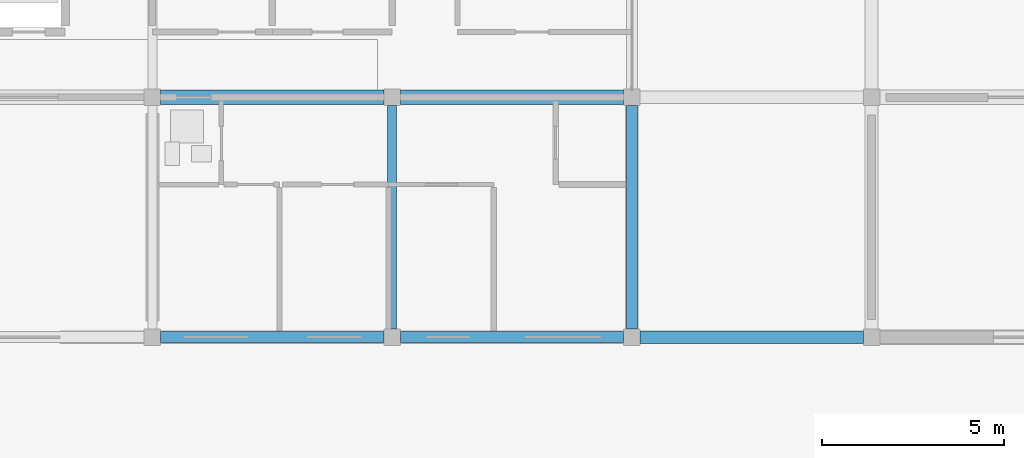
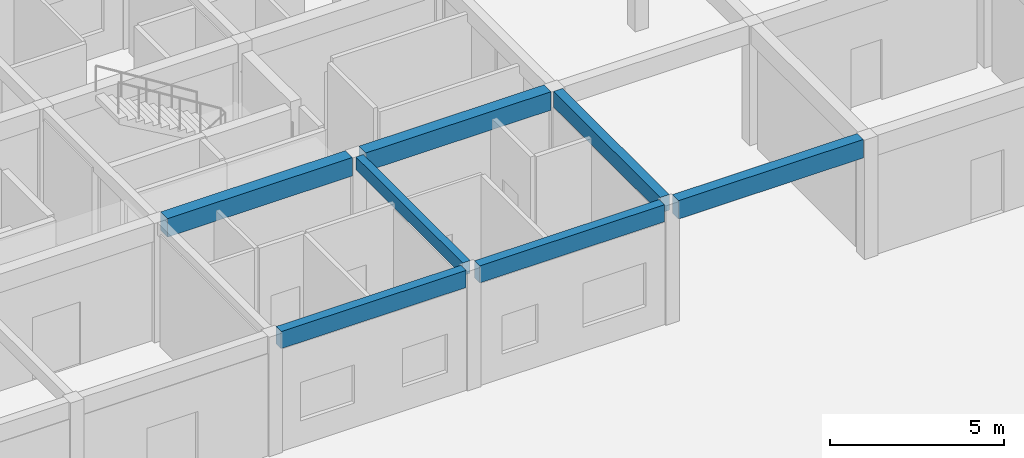
# One storey, part 12 of 75: 7 beams.
"""IFC4 building model written with IfcOpenShell, lengths in metres."""

from ifc_helpers import new_model, si_unit, direction, frame, origin, origin_2d, place, context, subcontext, project, spatial, rectangle, extrude, material, material_profile, profile_set, type_object, element, save


model = new_model("IFC4")

# Units and contexts
model_context = context("Model", 3, precision=1e-05, world=origin(), true_north=direction((0.0, 1.0)))
body_context = subcontext(model_context, "Body", "Model", "MODEL_VIEW")
ifc_project = project(units=[si_unit("LENGTHUNIT", "METRE"), si_unit("AREAUNIT", "SQUARE_METRE"), si_unit("VOLUMEUNIT", "CUBIC_METRE"), si_unit("PLANEANGLEUNIT", "RADIAN"), si_unit("MASSUNIT", "GRAM", prefix="KILO")], contexts=[model_context])

# Site, building, storey
site_placement = place(None, origin())
site = spatial("IfcSite", under=ifc_project, at=site_placement, CompositionType="ELEMENT")
building_placement = place(site_placement, origin())
building = spatial("IfcBuilding", under=site, at=building_placement, Name="Kernevlak Ridge Housing Community", CompositionType="ELEMENT")
storey_placement = place(building_placement, origin())
storey = spatial("IfcBuildingStorey", under=building, at=storey_placement, Name="L00", CompositionType="ELEMENT", Elevation=0.0)

# Beams
ifc_material = material(Name="Concrete C35/45", Category="concrete")
ifc_material_profile_1 = material_profile(ifc_material, rectangle(XDim=0.35009765625, YDim=0.64990234375, at=origin_2d()), Name="RC 350x650")
ifc_profile_set_1 = profile_set([ifc_material_profile_1], Name="Concrete C35/45")
beam_type_1 = type_object("IfcBeamType", Name="B-02", PredefinedType="BEAM", material=ifc_profile_set_1)
beam_1_placement = place(storey_placement, frame((42.22509765625, 15.60009765625, 3.875), z_axis=(1.0, 0.0, 0.0), x_axis=(0.0, 1.0, 0.0)))
element("IfcBeam", 1, at=beam_1_placement, inside=storey, type_object=beam_type_1, Name="Beam B-02 L00 2054", PredefinedType="BEAM", context=body_context, shape_type="SweptSolid", body=[
    extrude(rectangle(XDim=0.35009765625, YDim=0.64990234375, at=origin_2d()), origin(), (0.0, 0.0, 1.0), 6.14990234375),
])
ifc_material_profile_2 = material_profile(ifc_material, rectangle(XDim=0.39990234375, YDim=0.64990234375, at=origin_2d()), Name="RC 400x650")
ifc_profile_set_2 = profile_set([ifc_material_profile_2], Name="Concrete C35/45")
beam_type_2 = type_object("IfcBeamType", Name="B-03", PredefinedType="T_BEAM", material=ifc_profile_set_2)
beam_2_placement = place(storey_placement, frame((29.02490234375, 22.199951171875, 3.875), z_axis=(1.0, 0.0, 0.0), x_axis=(0.0, 1.0, 0.0)))
element("IfcBeam", 2, at=beam_2_placement, inside=storey, type_object=beam_type_2, Name="Beam B-03 L00 1314", PredefinedType="T_BEAM", context=body_context, shape_type="SweptSolid", body=[
    extrude(rectangle(XDim=0.39990234375, YDim=0.64990234375, at=origin_2d()), origin(), (0.0, 0.0, 1.0), 6.150146484375),
])
beam_3_placement = place(storey_placement, frame((35.625, 22.199951171875, 3.875), z_axis=(1.0, 0.0, 0.0), x_axis=(0.0, 1.0, 0.0)))
element("IfcBeam", 3, at=beam_3_placement, inside=storey, type_object=beam_type_2, Name="Beam B-03 L00 1315", PredefinedType="T_BEAM", context=body_context, shape_type="SweptSolid", body=[
    extrude(rectangle(XDim=0.39990234375, YDim=0.64990234375, at=origin_2d()), origin(), (0.0, 0.0, 1.0), 6.14990234375),
])
ifc_material_profile_3 = material_profile(ifc_material, rectangle(XDim=0.25, YDim=0.449951171875, at=origin_2d()), Name="RC 250x450")
ifc_profile_set_3 = profile_set([ifc_material_profile_3], Name="Concrete C35/45")
beam_type_3 = type_object("IfcBeamType", Name="B-04", PredefinedType="T_BEAM", material=ifc_profile_set_3)
beam_4_placement = place(storey_placement, frame((35.39990234375, 15.824951171875, 3.97509765625), z_axis=(0.0, 1.0, 0.0), x_axis=(-1.0, 0.0, 0.0)))
element("IfcBeam", 4, at=beam_4_placement, inside=storey, type_object=beam_type_3, Name="Beam B-04 L00 1332", PredefinedType="T_BEAM", context=body_context, shape_type="SweptSolid", body=[
    extrude(rectangle(XDim=0.25, YDim=0.449951171875, at=origin_2d()), origin(), (0.0, 0.0, 1.0), 6.150146484375),
])
ifc_material_profile_4 = material_profile(ifc_material, rectangle(XDim=0.300048828125, YDim=0.550048828125, at=origin_2d()), Name="RC 300x550")
ifc_profile_set_4 = profile_set([ifc_material_profile_4], Name="Concrete C35/45")
beam_type_4 = type_object("IfcBeamType", Name="SP-01", PredefinedType="SPANDREL", material=ifc_profile_set_4)
beam_5_placement = place(storey_placement, frame((42.0, 15.824951171875, 3.925048828125), z_axis=(0.0, 1.0, 0.0), x_axis=(-1.0, 0.0, 0.0)))
element("IfcBeam", 5, at=beam_5_placement, inside=storey, type_object=beam_type_4, Name="Beam SP-01 L00 1334", PredefinedType="SPANDREL", context=body_context, shape_type="SweptSolid", body=[
    extrude(rectangle(XDim=0.300048828125, YDim=0.550048828125, at=origin_2d()), origin(), (0.0, 0.0, 1.0), 6.150146484375),
])
ifc_material_profile_5 = material_profile(ifc_material, rectangle(XDim=0.300048828125, YDim=0.60009765625, at=origin_2d()), Name="RC 300x600")
ifc_profile_set_5 = profile_set([ifc_material_profile_5], Name="Concrete C35/45")
beam_type_5 = type_object("IfcBeamType", Name="SP-02", PredefinedType="SPANDREL", material=ifc_profile_set_5)
beam_6_placement = place(storey_placement, frame((29.02490234375, 15.60009765625, 3.89990234375), z_axis=(1.0, 0.0, 0.0), x_axis=(0.0, 1.0, 0.0)))
element("IfcBeam", 6, at=beam_6_placement, inside=storey, type_object=beam_type_5, Name="Beam SP-02 L00 1310", PredefinedType="SPANDREL", context=body_context, shape_type="SweptSolid", body=[
    extrude(rectangle(XDim=0.300048828125, YDim=0.60009765625, at=origin_2d()), origin(), (0.0, 0.0, 1.0), 6.150146484375),
])
beam_7_placement = place(storey_placement, frame((35.625, 15.60009765625, 3.89990234375), z_axis=(1.0, 0.0, 0.0), x_axis=(0.0, 1.0, 0.0)))
element("IfcBeam", 7, at=beam_7_placement, inside=storey, type_object=beam_type_5, Name="Beam SP-02 L00 1311", PredefinedType="SPANDREL", context=body_context, shape_type="SweptSolid", body=[
    extrude(rectangle(XDim=0.300048828125, YDim=0.60009765625, at=origin_2d()), origin(), (0.0, 0.0, 1.0), 6.14990234375),
])

save(model, "model.ifc")
